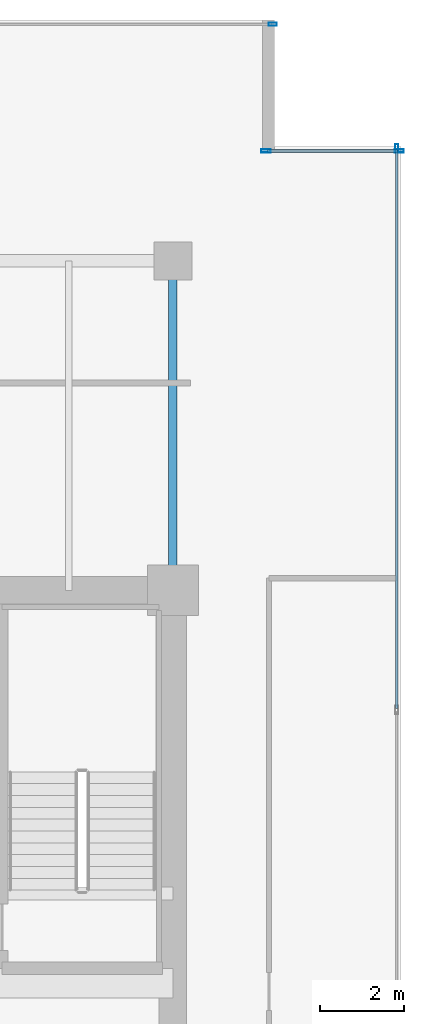
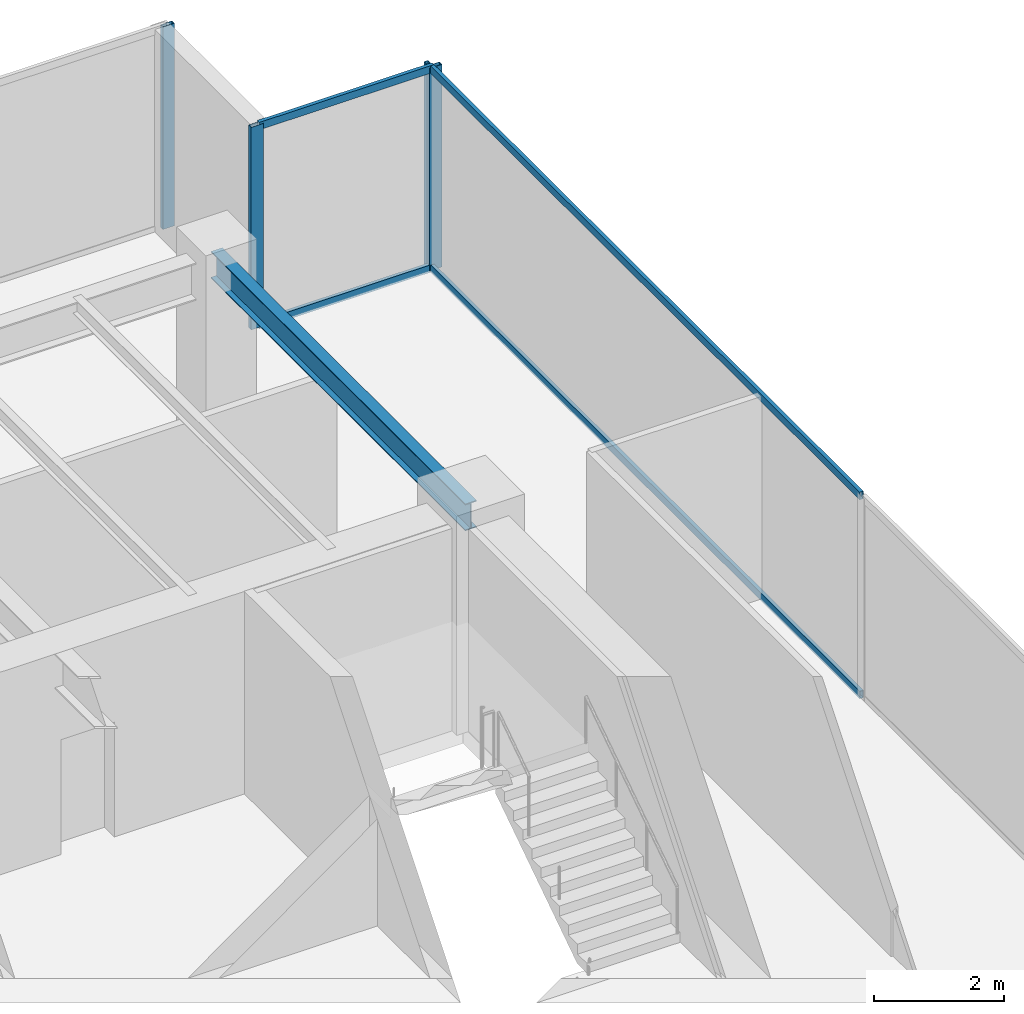
# One storey, part 23 of 30: 8 members, 1 beam, 3 elements without a shape of their own.
"""IFC4 building model written with IfcOpenShell, lengths in metres."""

import ifcopenshell
import ifcopenshell.guid

model = None  # the IFC model being written
_history = None  # IfcOwnerHistory: only IFC2X3 demands one
_inside = {}  # id of a spatial element -> (the spatial element, [elements in it])
_under = {}  # id of a project, library or spatial element -> (it, [spatial elements below it])
_declared = {}  # id of a project -> (the project, [libraries it declares])
_typed = {}  # id of a type object -> (the type object, [elements of that type])
_made_of = {}  # id of a material, layer set ... -> (it, [elements and type objects made of it])


def new_model(schema):
    """Start an empty IFC model of exactly this schema.

    Asked for "IFC4X3", IfcOpenShell would pick the latest addendum, in which some entities
    have other attributes; the version numbers below select the first issue.
    IFC2X3 requires an IfcOwnerHistory on every rooted entity: one is made here for all.
    """
    global model, _history
    if schema == "IFC4X3":
        model = ifcopenshell.file(schema_version=(4, 3, 0, 0))
    else:
        model = ifcopenshell.file(schema=schema)
    _inside.clear()
    _under.clear()
    _declared.clear()
    _typed.clear()
    _made_of.clear()
    _history = None
    if model.schema == "IFC2X3":
        org = make("IfcOrganization", Name="unknown")
        user = make(
            "IfcPersonAndOrganization",
            ThePerson=make("IfcPerson", FamilyName="unknown"),
            TheOrganization=org,
        )
        app = make(
            "IfcApplication",
            ApplicationDeveloper=org,
            Version="unknown",
            ApplicationFullName="unknown",
            ApplicationIdentifier="unknown",
        )
        _history = make(
            "IfcOwnerHistory",
            OwningUser=user,
            OwningApplication=app,
            ChangeAction="ADDED",
            CreationDate=0,
        )
    return model


def make(cls, **values):
    """One entity of the class cls with the attributes given. An attribute that is None is left unset."""
    return model.create_entity(
        cls, **{name: value for name, value in values.items() if value is not None}
    )


def rooted(cls, **values):
    """An entity with a GlobalId (a new one), such as an element, a storey or a relation."""
    return make(cls, GlobalId=ifcopenshell.guid.new(), OwnerHistory=_history, **values)


def si_unit(unit_type, name, prefix=None):
    """IfcSIUnit, for example si_unit("LENGTHUNIT", "METRE", prefix="MILLI")."""
    return make("IfcSIUnit", UnitType=unit_type, Prefix=prefix, Name=name)


def assignment(units):
    """IfcUnitAssignment: the units of a project."""
    return None if units is None else make("IfcUnitAssignment", Units=units)


def point(xyz):
    """IfcCartesianPoint."""
    return None if xyz is None else make("IfcCartesianPoint", Coordinates=xyz)


def direction(xyz):
    """IfcDirection."""
    return None if xyz is None else make("IfcDirection", DirectionRatios=xyz)


def frame(location, z_axis=None, x_axis=None):
    """IfcAxis2Placement3D, a coordinate frame: its origin and axes. An axis left out is left unset."""
    return make(
        "IfcAxis2Placement3D",
        Location=point(location),
        Axis=direction(z_axis),
        RefDirection=direction(x_axis),
    )


def frame_2d(location, x_axis=None):
    """IfcAxis2Placement2D, a coordinate frame in the plane: its origin and x axis."""
    return make(
        "IfcAxis2Placement2D", Location=point(location), RefDirection=direction(x_axis)
    )


def origin():
    """The frame at (0, 0, 0) with its axes left unset."""
    return frame((0.0, 0.0, 0.0))


def origin_2d():
    """The frame at (0, 0) in the plane with its x axis left unset."""
    return frame_2d((0.0, 0.0))


def place(relative_to, where):
    """IfcLocalPlacement: puts the frame where relative to a parent placement (None: the world)."""
    return make(
        "IfcLocalPlacement", PlacementRelTo=relative_to, RelativePlacement=where
    )


def context(
    kind, dimensions, precision=None, world=None, true_north=None, identifier=None
):
    """IfcGeometricRepresentationContext, for example the 3D "Model" context."""
    return make(
        "IfcGeometricRepresentationContext",
        ContextIdentifier=identifier,
        ContextType=kind,
        CoordinateSpaceDimension=dimensions,
        Precision=precision,
        WorldCoordinateSystem=world,
        TrueNorth=true_north,
    )


def subcontext(parent, identifier, kind, view, scale=None):
    """IfcGeometricRepresentationSubContext, for example "Body" below "Model"."""
    return make(
        "IfcGeometricRepresentationSubContext",
        ContextIdentifier=identifier,
        ContextType=kind,
        ParentContext=parent,
        TargetScale=scale,
        TargetView=view,
    )


def project(units=None, contexts=None):
    """IfcProject with its units and contexts."""
    return rooted(
        "IfcProject",
        Name="project",
        RepresentationContexts=contexts,
        UnitsInContext=assignment(units),
    )


def spatial(cls, under=None, at=None, **own):
    """A site, building, storey or space (cls), placed at a placement, below another one or the project."""
    s = rooted(cls, ObjectPlacement=at, **own)
    if under is not None:
        _under.setdefault(under.id(), (under, []))[1].append(s)
    return s


def profile(cls, at=None, kind="AREA", **sizes):
    """A parametric profile (cls). Its sizes go by their IFC names, for example OverallWidth=200.0."""
    return make(cls, ProfileType=kind, Position=at, **sizes)


def hollow_rectangle(**sizes):
    """IfcRectangleHollowProfileDef."""
    return profile("IfcRectangleHollowProfileDef", **sizes)


def i_section(**sizes):
    """IfcIShapeProfileDef."""
    return profile("IfcIShapeProfileDef", **sizes)


def extrude(swept, where, along, depth):
    """IfcExtrudedAreaSolid: the profile swept, set in the frame where, extruded along a direction by depth."""
    return make(
        "IfcExtrudedAreaSolid",
        SweptArea=swept,
        Position=where,
        ExtrudedDirection=direction(along),
        Depth=depth,
    )


def shape(context_of_items, identifier, shape_type, items):
    """IfcShapeRepresentation: the items that make up one representation, for example the "Body"."""
    return make(
        "IfcShapeRepresentation",
        ContextOfItems=context_of_items,
        RepresentationIdentifier=identifier,
        RepresentationType=shape_type,
        Items=items,
    )


def source(mapping_origin, context_of_items, identifier, shape_type, items):
    """IfcRepresentationMap: a shape defined once, which mapped items show again and again."""
    return make(
        "IfcRepresentationMap",
        MappingOrigin=mapping_origin,
        MappedRepresentation=shape(context_of_items, identifier, shape_type, items),
    )


def transform(
    local_origin,
    x_axis=None,
    y_axis=None,
    z_axis=None,
    scale=None,
    scale2=None,
    scale3=None,
    uniform=True,
):
    """IfcCartesianTransformationOperator3D, or its non-uniform kind. x_axis, y_axis, z_axis: its Axis1, 2, 3."""
    if uniform:
        return make(
            "IfcCartesianTransformationOperator3D",
            Axis1=direction(x_axis),
            Axis2=direction(y_axis),
            LocalOrigin=point(local_origin),
            Scale=scale,
            Axis3=direction(z_axis),
        )
    return make(
        "IfcCartesianTransformationOperator3DnonUniform",
        Axis1=direction(x_axis),
        Axis2=direction(y_axis),
        LocalOrigin=point(local_origin),
        Scale=scale,
        Axis3=direction(z_axis),
        Scale2=scale2,
        Scale3=scale3,
    )


def mapped(mapping_source, mapping_target):
    """IfcMappedItem: shows the shape of a source again, moved by a transform."""
    return make(
        "IfcMappedItem", MappingSource=mapping_source, MappingTarget=mapping_target
    )


def material(Name=None, Category=None):
    """IfcMaterial."""
    return make("IfcMaterial", Name=Name, Category=Category)


def layer(
    of_material, thickness, ventilated=None, Name=None, Category=None, Priority=None
):
    """IfcMaterialLayer: one layer of a wall or slab, of a material (None: an air gap)."""
    return make(
        "IfcMaterialLayer",
        Material=of_material,
        LayerThickness=thickness,
        IsVentilated=ventilated,
        Name=Name,
        Category=Category,
        Priority=Priority,
    )


def layer_set(layers, Name=None):
    """IfcMaterialLayerSet."""
    return make("IfcMaterialLayerSet", MaterialLayers=layers, LayerSetName=Name)


def material_profile(
    of_material, cross_section, Name=None, Category=None, Priority=None
):
    """IfcMaterialProfile: a cross section and its material."""
    return make(
        "IfcMaterialProfile",
        Name=Name,
        Material=of_material,
        Profile=cross_section,
        Priority=Priority,
        Category=Category,
    )


def profile_set(profiles, Name=None, composite=None):
    """IfcMaterialProfileSet."""
    return make(
        "IfcMaterialProfileSet",
        Name=Name,
        MaterialProfiles=profiles,
        CompositeProfile=composite,
    )


def made_of(thing, what):
    """Note that an element or type object is made of a material, layer set ...; save() writes the relation."""
    if what is not None:
        _made_of.setdefault(what.id(), (what, []))[1].append(thing)
    return thing


def type_object(cls, material=None, **own):
    """A type object (cls), such as IfcWallType, which elements share."""
    return made_of(rooted(cls, **own), material)


def type_shapes(of_type, sources):
    """Give a type object the sources (RepresentationMaps) that its elements show as mapped items."""
    of_type.RepresentationMaps = sources


def element(
    cls,
    number,
    at=None,
    inside=None,
    cuts=None,
    type_object=None,
    material=None,
    context=None,
    identifier="Body",
    shape_type=None,
    held_by="IfcProductDefinitionShape",
    body=None,
    shapes=None,
    **own,
):
    """One element of the class cls, such as IfcWall. Its Tag is "e" and its number.

    at: its placement. inside: the storey or other place that contains it. cuts: it is an
    opening in that element (IfcRelVoidsElement). A single representation is given by context,
    identifier, shape_type and body (its items); several are given by shapes. held_by: the class
    of the entity that holds the representations. save() writes the other relations.
    """
    e = rooted(cls, Tag="e%d" % number, ObjectPlacement=at, **own)
    if body is not None:
        shapes = [shape(context, identifier, shape_type, body)]
    if shapes is not None:
        e.Representation = make(held_by, Representations=shapes)
    if inside is not None:
        _inside.setdefault(inside.id(), (inside, []))[1].append(e)
    if cuts is not None:
        rooted(
            "IfcRelVoidsElement", RelatingBuildingElement=cuts, RelatedOpeningElement=e
        )
    if type_object is not None:
        _typed.setdefault(type_object.id(), (type_object, []))[1].append(e)
    return made_of(e, material)


def aggregate(whole, parts):
    """IfcRelAggregates: a whole, such as a stair, and the parts it consists of."""
    return rooted("IfcRelAggregates", RelatingObject=whole, RelatedObjects=parts)


def save(model, path):
    """Write the relations noted so far, then the file.

    IfcRelAggregates (storeys below a building ...), IfcRelContainedInSpatialStructure (elements
    in a storey), IfcRelDefinesByType, IfcRelAssociatesMaterial and IfcRelDeclares: one each for
    every whole, place, type object, material and project.
    """
    for whole, parts in _under.values():
        aggregate(whole, parts)
    for where, things in _inside.values():
        rooted(
            "IfcRelContainedInSpatialStructure",
            RelatedElements=things,
            RelatingStructure=where,
        )
    for kind, things in _typed.values():
        rooted("IfcRelDefinesByType", RelatedObjects=things, RelatingType=kind)
    for what, things in _made_of.values():
        rooted("IfcRelAssociatesMaterial", RelatedObjects=things, RelatingMaterial=what)
    for by, libraries in _declared.values():
        rooted("IfcRelDeclares", RelatingContext=by, RelatedDefinitions=libraries)
    model.write(path)


model = new_model("IFC4")

# Units and contexts
model_context = context("Model", 3, precision=1e-05, world=origin(), true_north=direction((0.0, 1.0)))
body_context = subcontext(model_context, "Body", "Model", "MODEL_VIEW")
ifc_project = project(units=[si_unit("LENGTHUNIT", "METRE"), si_unit("AREAUNIT", "SQUARE_METRE"), si_unit("VOLUMEUNIT", "CUBIC_METRE"), si_unit("PLANEANGLEUNIT", "RADIAN"), si_unit("MASSUNIT", "GRAM", prefix="KILO")], contexts=[model_context])

# Site, building, storey
site_placement = place(None, origin())
site = spatial("IfcSite", under=ifc_project, at=site_placement, CompositionType="ELEMENT")
building_placement = place(site_placement, origin())
building = spatial("IfcBuilding", under=site, at=building_placement, Name="Haelvirn Gate Laboratories", CompositionType="ELEMENT")
storey_placement = place(building_placement, frame((0.0, 0.0, 129.699951171875)))
storey = spatial("IfcBuildingStorey", under=building, at=storey_placement, Name="L31", CompositionType="ELEMENT", Elevation=129.699951171875)

# Beam
ifc_material_1 = material(Name="Steel SM355", Category="steel")
ifc_material_profile_1 = material_profile(ifc_material_1, i_section(OverallWidth=0.199951171875, OverallDepth=0.5, WebThickness=0.010009765625, FlangeThickness=0.01611328125, at=origin_2d()), Name="H-500x200x10x16")
ifc_profile_set_1 = profile_set([ifc_material_profile_1], Name="Steel SM355")
beam_type = type_object("IfcBeamType", Name="BM-SP-500", PredefinedType="SPANDREL", material=ifc_profile_set_1)
shared_shape_1 = source(origin(), body_context, "Body", "SweptSolid", [
    extrude(i_section(OverallWidth=0.199951171875, OverallDepth=0.5, WebThickness=0.010009765625, FlangeThickness=0.01611328125, at=origin_2d()), origin(), (0.0, 0.0, 1.0), 7.800048828125),
])
type_shapes(beam_type, [shared_shape_1])
beam_placement = place(storey_placement, frame((67.39990234375, 33.800048828125, 3.5400390625), z_axis=(0.0, 1.0, 0.0), x_axis=(-1.0, 0.0, 0.0)))
element("IfcBeam", 1, at=beam_placement, inside=storey, type_object=beam_type, Name="L31 Perimeter Spandrel X67.4 (33.8-41.6)", PredefinedType="SPANDREL", context=body_context, shape_type="MappedRepresentation", body=[
    mapped(shared_shape_1, transform((0.0, 0.0, 0.0), scale=1.0)),
])

# Curtain wall, members
ifc_material_2 = material(Name="Anodised bronze unitised aluminium & triple low-E glass", Category="aluminium")
ifc_layer_1 = layer(ifc_material_2, 0.181884765625, Name="CW-SYS-5")
ifc_layer_set_1 = layer_set([ifc_layer_1], Name="Anodised bronze unitised aluminium & triple low-E glass")
curtain_wall_type_1 = type_object("IfcCurtainWallType", Name="CW-SYS-5", PredefinedType="NOTDEFINED", material=ifc_layer_set_1)
curtain_wall_1_placement = place(storey_placement, origin())
curtain_wall_1 = element("IfcCurtainWall", 2, at=curtain_wall_1_placement, inside=storey, type_object=curtain_wall_type_1, Name="L31 Unitised Curtain Wall CW-L31-P0-E08-1", PredefinedType="NOTDEFINED")
ifc_material_3 = material(Name="Extruded aluminium 6063-T6 (anodised bronze)", Category="aluminium")
ifc_material_profile_2 = material_profile(ifc_material_3, hollow_rectangle(XDim=0.06494140625, YDim=0.139892578125, WallThickness=0.00390625, at=origin_2d()), Name="CWT-140x65x4")
ifc_profile_set_2 = profile_set([ifc_material_profile_2], Name="Extruded aluminium 6063-T6 (anodised bronze)")
member_type_1 = type_object("IfcMemberType", Name="CWT-T140", PredefinedType="USERDEFINED", material=ifc_profile_set_2)
shared_shape_2 = source(origin(), body_context, "Body", "SweptSolid", [
    extrude(hollow_rectangle(XDim=0.06494140625, YDim=0.139892578125, WallThickness=0.00390625, at=origin_2d()), origin(), (0.0, 0.0, 1.0), 3.080078125),
])
member_1_placement = place(storey_placement, frame((69.639892578125, 44.199951171875, 0.032470703125), z_axis=(1.0, 0.0, 0.0), x_axis=(0.0, 1.0, 0.0)))
member_1 = element("IfcMember", 3, at=member_1_placement, type_object=member_type_1, Name="CW5 transom 1.1", ObjectType="TRANSOM", PredefinedType="USERDEFINED", context=body_context, shape_type="MappedRepresentation", body=[
    mapped(shared_shape_2, transform((0.0, 0.0, 0.0), scale=1.0)),
])
member_2_placement = place(storey_placement, frame((69.639892578125, 44.199951171875, 3.757568359375), z_axis=(1.0, 0.0, 0.0), x_axis=(0.0, 1.0, 0.0)))
member_2 = element("IfcMember", 4, at=member_2_placement, type_object=member_type_1, Name="CW5 transom 1.2", ObjectType="TRANSOM", PredefinedType="USERDEFINED", context=body_context, shape_type="MappedRepresentation", body=[
    mapped(shared_shape_2, transform((0.0, 0.0, 0.0), scale=1.0)),
])

ifc_layer_2 = layer(ifc_material_2, 0.179931640625, Name="CW-SYS-3")
ifc_layer_set_2 = layer_set([ifc_layer_2], Name="Anodised bronze unitised aluminium & triple low-E glass")
curtain_wall_type_2 = type_object("IfcCurtainWallType", Name="CW-SYS-3", PredefinedType="NOTDEFINED", material=ifc_layer_set_2)
curtain_wall_2_placement = place(storey_placement, origin())
curtain_wall_2 = element("IfcCurtainWall", 5, at=curtain_wall_2_placement, inside=storey, type_object=curtain_wall_type_2, Name="L31 Unitised Curtain Wall CW-L31-P0-E07", PredefinedType="NOTDEFINED")
shared_shape_3 = source(origin(), body_context, "Body", "SweptSolid", [
    extrude(hollow_rectangle(XDim=0.06494140625, YDim=0.139892578125, WallThickness=0.00390625, at=origin_2d()), origin(), (0.0, 0.0, 1.0), 13.220947265625),
])
type_shapes(member_type_1, [shared_shape_2, shared_shape_3])
member_3_placement = place(storey_placement, frame((72.699951171875, 31.004150390625, 0.032470703125), z_axis=(0.0, 1.0, 0.0), x_axis=(-1.0, 0.0, 0.0)))
member_3 = element("IfcMember", 6, at=member_3_placement, type_object=member_type_1, Name="CW3 transom 3.1", ObjectType="TRANSOM", PredefinedType="USERDEFINED", context=body_context, shape_type="MappedRepresentation", body=[
    mapped(shared_shape_3, transform((0.0, 0.0, 0.0), scale=1.0)),
])
member_4_placement = place(storey_placement, frame((72.699951171875, 31.004150390625, 3.757568359375), z_axis=(0.0, 1.0, 0.0), x_axis=(-1.0, 0.0, 0.0)))
member_4 = element("IfcMember", 7, at=member_4_placement, type_object=member_type_1, Name="CW3 transom 3.2", ObjectType="TRANSOM", PredefinedType="USERDEFINED", context=body_context, shape_type="MappedRepresentation", body=[
    mapped(shared_shape_3, transform((0.0, 0.0, 0.0), scale=1.0)),
])
ifc_material_profile_3 = material_profile(ifc_material_3, hollow_rectangle(XDim=0.074951171875, YDim=0.199951171875, WallThickness=0.0048828125, at=origin_2d()), Name="CWM-200x75x5")
ifc_profile_set_3 = profile_set([ifc_material_profile_3], Name="Extruded aluminium 6063-T6 (anodised bronze)")
member_type_2 = type_object("IfcMemberType", Name="CWM-T200", PredefinedType="MULLION", material=ifc_profile_set_3)
shared_shape_4 = source(origin(), body_context, "Body", "SweptSolid", [
    extrude(hollow_rectangle(XDim=0.074951171875, YDim=0.199951171875, WallThickness=0.0048828125, at=origin_2d()), origin(), (0.0, 0.0, 1.0), 3.7900390625),
])
type_shapes(member_type_2, [shared_shape_4])
member_5_placement = place(storey_placement, frame((72.699951171875, 44.262451171875, 0.0), z_axis=(0.0, 0.0, 1.0), x_axis=(-1.0, 0.0, 0.0)))
member_5 = element("IfcMember", 8, at=member_5_placement, type_object=member_type_2, Name="CW3 mullion 4", PredefinedType="MULLION", context=body_context, shape_type="MappedRepresentation", body=[
    mapped(shared_shape_4, transform((0.0, 0.0, 0.0), scale=1.0)),
])
aggregate(curtain_wall_2, [member_5, member_3, member_4])

# Curtain wall, member
curtain_wall_3_placement = place(storey_placement, origin())
curtain_wall_3 = element("IfcCurtainWall", 9, at=curtain_wall_3_placement, inside=storey, type_object=curtain_wall_type_2, Name="L31 Unitised Curtain Wall CW-L31-P0-E10-1", PredefinedType="NOTDEFINED")
member_6_placement = place(storey_placement, frame((69.762451171875, 47.199951171875, 0.0), z_axis=(0.0, 0.0, 1.0), x_axis=(0.0, 1.0, 0.0)))
member_6 = element("IfcMember", 10, at=member_6_placement, type_object=member_type_2, Name="CW3 mullion 3", PredefinedType="MULLION", context=body_context, shape_type="MappedRepresentation", body=[
    mapped(shared_shape_4, transform((0.0, 0.0, 0.0), scale=1.0)),
])
aggregate(curtain_wall_3, [member_6])

# Member
ifc_material_profile_4 = material_profile(ifc_material_3, hollow_rectangle(XDim=0.080078125, YDim=0.219970703125, WallThickness=0.006103515625, at=origin_2d()), Name="CWM-220x80x6")
ifc_profile_set_4 = profile_set([ifc_material_profile_4], Name="Extruded aluminium 6063-T6 (anodised bronze)")
member_type_3 = type_object("IfcMemberType", Name="CWM-T220", PredefinedType="MULLION", material=ifc_profile_set_4)
shared_shape_5 = source(origin(), body_context, "Body", "SweptSolid", [
    extrude(hollow_rectangle(XDim=0.080078125, YDim=0.219970703125, WallThickness=0.006103515625, at=origin_2d()), origin(), (0.0, 0.0, 1.0), 3.7900390625),
])
type_shapes(member_type_3, [shared_shape_5])
member_7_placement = place(storey_placement, frame((69.60009765625, 44.199951171875, 0.0), z_axis=(0.0, 0.0, 1.0), x_axis=(0.0, 1.0, 0.0)))
member_7 = element("IfcMember", 11, at=member_7_placement, type_object=member_type_3, Name="CW5 mullion 1", PredefinedType="MULLION", context=body_context, shape_type="MappedRepresentation", body=[
    mapped(shared_shape_5, transform((0.0, 0.0, 0.0), scale=1.0)),
])

member_8_placement = place(storey_placement, frame((72.760009765625, 44.199951171875, 0.0), z_axis=(0.0, 0.0, 1.0), x_axis=(0.0, 1.0, 0.0)))
member_8 = element("IfcMember", 12, at=member_8_placement, type_object=member_type_3, Name="CW5 mullion 2", PredefinedType="MULLION", context=body_context, shape_type="MappedRepresentation", body=[
    mapped(shared_shape_5, transform((0.0, 0.0, 0.0), scale=1.0)),
])

aggregate(curtain_wall_1, [member_7, member_8, member_1, member_2])

save(model, "model.ifc")
